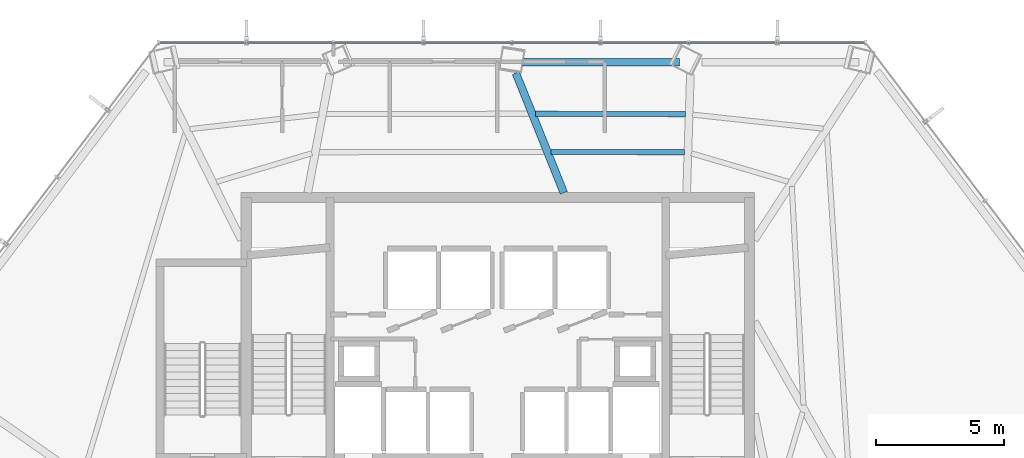
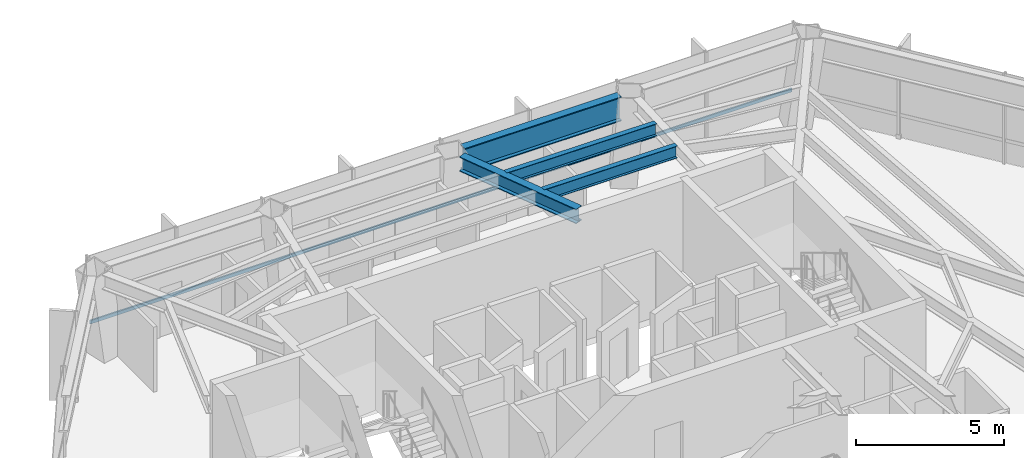
# One storey, part 13 of 25: 4 beams, 1 member, 1 element without a shape of its own.
"""IFC4 building model written with IfcOpenShell, lengths in metres."""

from ifc_helpers import new_model, si_unit, direction, frame, origin, origin_2d, place, context, subcontext, project, spatial, hollow_rectangle, i_section, extrude, material, layer, layer_set, material_profile, profile_set, type_object, element, aggregate, save


model = new_model("IFC4")

# Units and contexts
model_context = context("Model", 3, precision=1e-05, world=origin(), true_north=direction((0.0, 1.0)))
body_context = subcontext(model_context, "Body", "Model", "MODEL_VIEW")
ifc_project = project(units=[si_unit("LENGTHUNIT", "METRE"), si_unit("AREAUNIT", "SQUARE_METRE"), si_unit("VOLUMEUNIT", "CUBIC_METRE"), si_unit("PLANEANGLEUNIT", "RADIAN"), si_unit("MASSUNIT", "GRAM", prefix="KILO")], contexts=[model_context])

# Site, building, storey
site_placement = place(None, origin())
site = spatial("IfcSite", under=ifc_project, at=site_placement, CompositionType="ELEMENT")
building_placement = place(site_placement, origin())
building = spatial("IfcBuilding", under=site, at=building_placement, Name="Zarrinselat Tower", CompositionType="ELEMENT")
storey_placement = place(building_placement, frame((0.0, 0.0, 105.06005859375)))
storey = spatial("IfcBuildingStorey", under=building, at=storey_placement, Name="L25", CompositionType="ELEMENT", Elevation=105.06005859375)

# Beams
ifc_material_1 = material(Name="Steel S355J2", Category="steel")
ifc_material_profile_1 = material_profile(ifc_material_1, i_section(OverallWidth=0.300048828125, OverallDepth=0.60009765625, WebThickness=0.015380859375, FlangeThickness=0.030029296875, at=origin_2d()), Name="HEB 600")
ifc_profile_set_1 = profile_set([ifc_material_profile_1], Name="Steel S355J2")
beam_type_1 = type_object("IfcBeamType", Name="BM-HEB600", PredefinedType="BEAM", material=ifc_profile_set_1)
beam_1_placement = place(storey_placement, frame((39.12841796875, 48.313720703125, 3.429931640625), z_axis=(0.371741800769, -0.928336164092, 0.0), x_axis=(0.928336164092, 0.371741800769, 0.0)))
element("IfcBeam", 1, at=beam_1_placement, inside=storey, type_object=beam_type_1, Name="L25 Radial Primary Girder RG03", PredefinedType="BEAM", context=body_context, shape_type="SweptSolid", body=[
    extrude(i_section(OverallWidth=0.300048828125, OverallDepth=0.60009765625, WebThickness=0.015380859375, FlangeThickness=0.030029296875, at=origin_2d()), origin(), (0.0, 0.0, 1.0), 5.03466796875),
])
ifc_material_2 = material(Name="Steel S460M", Category="steel")
ifc_material_profile_2 = material_profile(ifc_material_2, i_section(OverallWidth=0.302001953125, OverallDepth=1.008056640625, WebThickness=0.02099609375, FlangeThickness=0.0400390625, at=origin_2d()), Name="HEM 1000")
ifc_profile_set_2 = profile_set([ifc_material_profile_2], Name="Steel S460M")
beam_type_2 = type_object("IfcBeamType", Name="BM-HEM1000", PredefinedType="BEAM", material=ifc_profile_set_2)
beam_2_placement = place(storey_placement, frame((39.3984375, 48.7333984375, 3.225830078125), z_axis=(1.0, 0.0, 0.0), x_axis=(0.0, 1.0, 0.0)))
element("IfcBeam", 2, at=beam_2_placement, inside=storey, type_object=beam_type_2, Name="L25 Perimeter Spandrel Girder SP02", PredefinedType="BEAM", context=body_context, shape_type="SweptSolid", body=[
    extrude(i_section(OverallWidth=0.302001953125, OverallDepth=1.008056640625, WebThickness=0.02099609375, FlangeThickness=0.0400390625, at=origin_2d()), origin(), (0.0, 0.0, 1.0), 6.125),
])
ifc_material_3 = material(Name="Steel S355J2", Category="steel")
ifc_material_profile_3 = material_profile(ifc_material_3, i_section(OverallWidth=0.199951171875, OverallDepth=0.5, WebThickness=0.01025390625, FlangeThickness=0.01611328125, at=origin_2d()), Name="IPE 500")
ifc_profile_set_3 = profile_set([ifc_material_profile_3], Name="Steel S355J2")
beam_type_3 = type_object("IfcBeamType", Name="BM-IPE500", PredefinedType="JOIST", material=ifc_profile_set_3)
beam_3_placement = place(storey_placement, frame((39.90478515625, 46.72412109375, 3.47998046875), z_axis=(0.999994005541, -0.003462496452, 0.0), x_axis=(0.003462496452, 0.999994005541, 0.0)))
element("IfcBeam", 3, at=beam_3_placement, inside=storey, type_object=beam_type_3, Name="L25 Composite Floor Joist 7-1", PredefinedType="JOIST", context=body_context, shape_type="SweptSolid", body=[
    extrude(i_section(OverallWidth=0.199951171875, OverallDepth=0.5, WebThickness=0.01025390625, FlangeThickness=0.01611328125, at=origin_2d()), origin(), (0.0, 0.0, 1.0), 5.852294921875),
])
beam_4_placement = place(storey_placement, frame((40.503662109375, 45.228759765625, 3.47998046875), z_axis=(0.999998060502, -0.001969515524, 0.0), x_axis=(0.001969515524, 0.999998060502, 0.0)))
element("IfcBeam", 4, at=beam_4_placement, inside=storey, type_object=beam_type_3, Name="L25 Composite Floor Joist 7-2", PredefinedType="JOIST", context=body_context, shape_type="SweptSolid", body=[
    extrude(i_section(OverallWidth=0.199951171875, OverallDepth=0.5, WebThickness=0.01025390625, FlangeThickness=0.01611328125, at=origin_2d()), origin(), (0.0, 0.0, 1.0), 5.206298828125),
])

# Curtain wall, member
ifc_material_4 = material(Name="Extruded Aluminium Alloy EN AW-6063 T6", Category="aluminium")
ifc_layer = layer(ifc_material_4, 0.18505859375)
ifc_layer_set = layer_set([ifc_layer], Name="Extruded Aluminium Alloy EN AW-6063 T6")
curtain_wall_type = type_object("IfcCurtainWallType", Name="CWS-OFF", PredefinedType="NOTDEFINED", material=ifc_layer_set)
curtain_wall_placement = place(storey_placement, origin())
curtain_wall = element("IfcCurtainWall", 5, at=curtain_wall_placement, inside=storey, type_object=curtain_wall_type, Name="L25 Unitised Curtain Wall CW-L25-E01", PredefinedType="NOTDEFINED")
ifc_material_5 = material(Name="Extruded Aluminium Alloy EN AW-6063 T6", Category="aluminium")
ifc_material_profile_4 = material_profile(ifc_material_5, hollow_rectangle(XDim=0.06005859375, YDim=0.139892578125, WallThickness=0.00390625, at=origin_2d()), Name="RHS 140x60x4")
ifc_profile_set_4 = profile_set([ifc_material_profile_4], Name="Extruded Aluminium Alloy EN AW-6063 T6")
member_type = type_object("IfcMemberType", Name="MEM-CW-TRN", PredefinedType="USERDEFINED", material=ifc_profile_set_4)
member_placement = place(storey_placement, frame((52.70458984375, 49.5, 0.949951171875), z_axis=(-1.0, 0.0, 0.0), x_axis=(0.0, -1.0, 0.0)))
member = element("IfcMember", 6, at=member_placement, type_object=member_type, Name="CW-L25-E01 Transom 1", ObjectType="TRANSOM", PredefinedType="USERDEFINED", context=body_context, shape_type="SweptSolid", body=[
    extrude(hollow_rectangle(XDim=0.06005859375, YDim=0.139892578125, WallThickness=0.00390625, at=origin_2d()), origin(), (0.0, 0.0, 1.0), 27.450927734375),
])
aggregate(curtain_wall, [member])

save(model, "model.ifc")
